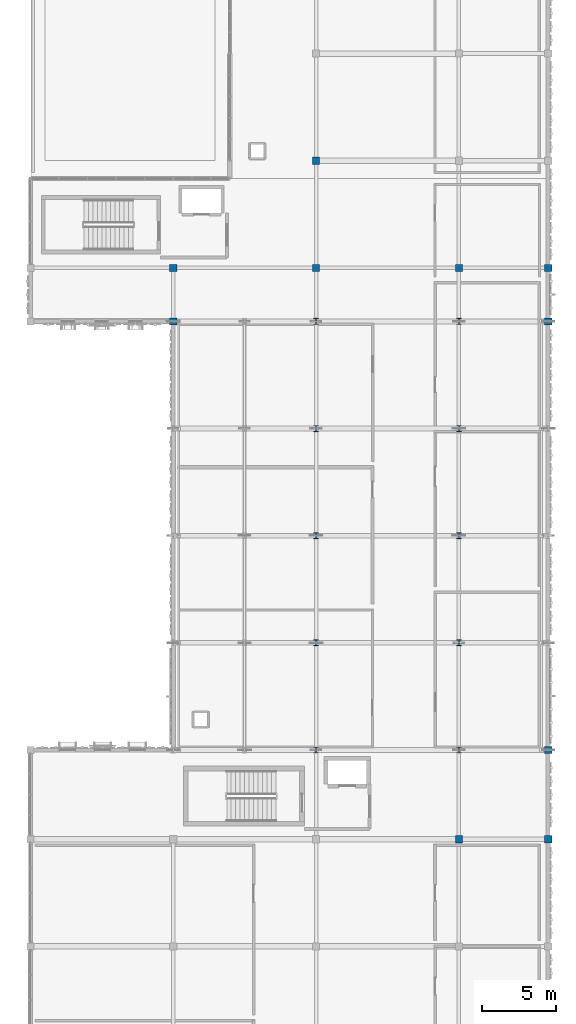
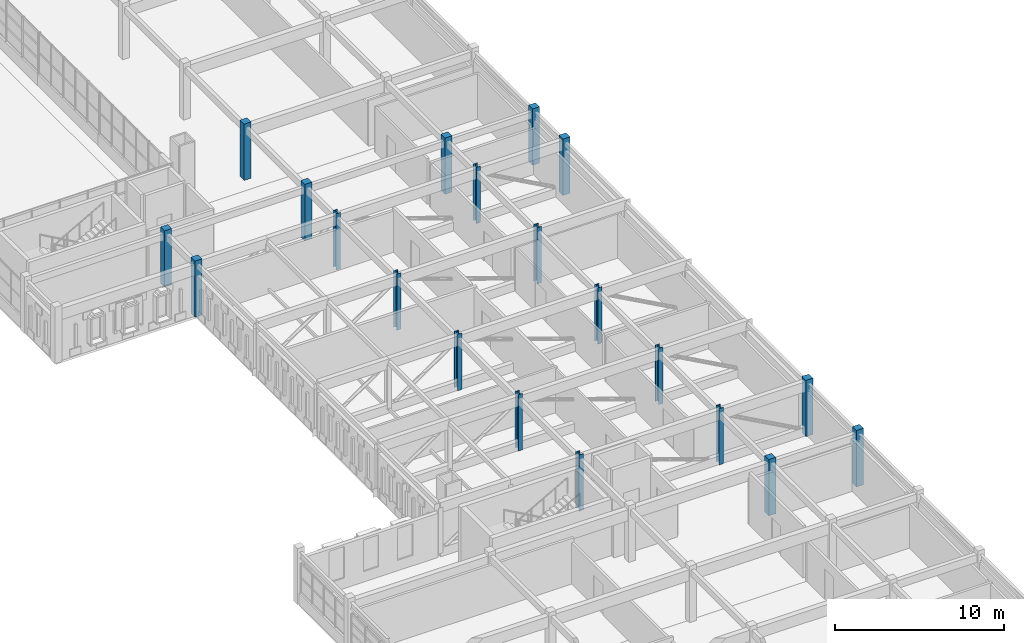
# One storey, part 5 of 79: 20 columns.
"""IFC4 building model written with IfcOpenShell, lengths in metres."""

from ifc_helpers import new_model, si_unit, direction, frame, origin, origin_2d, place, context, subcontext, project, spatial, rectangle, i_section, extrude, material, material_profile, profile_set, type_object, element, save


model = new_model("IFC4")

# Units and contexts
model_context = context("Model", 3, precision=1e-05, world=origin(), true_north=direction((0.0, 1.0)))
body_context = subcontext(model_context, "Body", "Model", "MODEL_VIEW")
ifc_project = project(units=[si_unit("LENGTHUNIT", "METRE"), si_unit("AREAUNIT", "SQUARE_METRE"), si_unit("VOLUMEUNIT", "CUBIC_METRE"), si_unit("PLANEANGLEUNIT", "RADIAN"), si_unit("MASSUNIT", "GRAM", prefix="KILO")], contexts=[model_context])

# Site, building, storey
site_placement = place(None, origin())
site = spatial("IfcSite", under=ifc_project, at=site_placement, CompositionType="ELEMENT")
building_placement = place(site_placement, origin())
building = spatial("IfcBuilding", under=site, at=building_placement, Name="Nzembalo Square Collegiate School", CompositionType="ELEMENT")
storey_placement = place(building_placement, frame((0.0, 0.0, 9.52001953125)))
storey = spatial("IfcBuildingStorey", under=building, at=storey_placement, Name="L02", CompositionType="ELEMENT", Elevation=9.52001953125)

# Columns
ifc_material_1 = material(Name="Glulam GL28h", Category="wood")
ifc_material_profile_1 = material_profile(ifc_material_1, rectangle(XDim=0.47998046875, YDim=0.47998046875, at=origin_2d()), Name="GL28h 480x480")
ifc_profile_set_1 = profile_set([ifc_material_profile_1], Name="Glulam GL28h")
column_type_1 = type_object("IfcColumnType", Name="C05", PredefinedType="COLUMN", material=ifc_profile_set_1)
for number, where, z_axis, x_axis, name in (
    (1, (140.39990234375, 79.199951171875, 0.0), (0.0, 0.0, 1.0), (1.0, 0.0, 0.0), "Column C05 L02 21/L"),
    (2, (140.39990234375, 82.800048828125, 0.0), (0.0, 0.0, 1.0), (1.0, 0.0, 0.0), "Column C05 L02 21/M"),
    (3, (150.0, 82.800048828125, 0.0), (0.0, 0.0, 1.0), (1.0, 0.0, 0.0), "Column C05 L02 22/M"),
    (4, (150.0, 90.0, 0.0), (0.0, 0.0, 1.0), (1.0, 0.0, 0.0), "Column C05 L02 22/N"),
    (5, (159.60009765625, 44.39990234375, 0.0), (0.0, 0.0, 1.0), (1.0, 0.0, 0.0), "Column C05 L02 23/G"),
    (6, (159.60009765625, 82.800048828125, 0.0), (0.0, 0.0, 1.0), (1.0, 0.0, 0.0), "Column C05 L02 23/M"),
    (7, (165.60009765625, 44.39990234375, 0.0), (0.0, 0.0, 1.0), (1.0, 0.0, 0.0), "Column C05 L02 24/G"),
    (8, (165.60009765625, 50.39990234375, 0.0), (0.0, 0.0, 1.0), (1.0, 0.0, 0.0), "Column C05 L02 24/H"),
    (9, (165.60009765625, 79.199951171875, 0.0), (0.0, 0.0, 1.0), (1.0, 0.0, 0.0), "Column C05 L02 24/L"),
    (10, (165.60009765625, 82.800048828125, 0.0), (0.0, 0.0, 1.0), (1.0, 0.0, 0.0), "Column C05 L02 24/M"),
):
    element("IfcColumn", number, at=place(storey_placement, frame(where, z_axis=z_axis, x_axis=x_axis)), inside=storey, type_object=column_type_1, Name=name, PredefinedType="COLUMN", context=body_context, shape_type="SweptSolid", body=[
        extrude(rectangle(XDim=0.47998046875, YDim=0.47998046875, at=origin_2d()), origin(), (0.0, 0.0, 1.0), 4.080078125),
    ])
ifc_material_2 = material(Name="Steel S355", Category="steel")
ifc_material_profile_2 = material_profile(ifc_material_2, i_section(OverallWidth=0.300048828125, OverallDepth=0.39990234375, WebThickness=0.013427734375, FlangeThickness=0.02392578125, at=origin_2d()), Name="HEB 400")
ifc_profile_set_2 = profile_set([ifc_material_profile_2], Name="Steel S355")
column_type_2 = type_object("IfcColumnType", Name="C07", PredefinedType="COLUMN", material=ifc_profile_set_2)
for number, where, z_axis, x_axis, name in (
    (11, (150.0, 50.39990234375, 0.0), (0.0, 0.0, 1.0), (1.0, 0.0, 0.0), "Column C07 L02 22/H"),
    (12, (150.0, 57.60009765625, 0.0), (0.0, 0.0, 1.0), (1.0, 0.0, 0.0), "Column C07 L02 22/I"),
    (13, (150.0, 64.800048828125, 0.0), (0.0, 0.0, 1.0), (1.0, 0.0, 0.0), "Column C07 L02 22/J"),
    (14, (150.0, 72.0, 0.0), (0.0, 0.0, 1.0), (1.0, 0.0, 0.0), "Column C07 L02 22/K"),
    (15, (150.0, 79.199951171875, 0.0), (0.0, 0.0, 1.0), (1.0, 0.0, 0.0), "Column C07 L02 22/L"),
    (16, (159.60009765625, 50.39990234375, 0.0), (0.0, 0.0, 1.0), (1.0, 0.0, 0.0), "Column C07 L02 23/H"),
    (17, (159.60009765625, 57.60009765625, 0.0), (0.0, 0.0, 1.0), (1.0, 0.0, 0.0), "Column C07 L02 23/I"),
    (18, (159.60009765625, 64.800048828125, 0.0), (0.0, 0.0, 1.0), (1.0, 0.0, 0.0), "Column C07 L02 23/J"),
    (19, (159.60009765625, 72.0, 0.0), (0.0, 0.0, 1.0), (1.0, 0.0, 0.0), "Column C07 L02 23/K"),
    (20, (159.60009765625, 79.199951171875, 0.0), (0.0, 0.0, 1.0), (1.0, 0.0, 0.0), "Column C07 L02 23/L"),
):
    element("IfcColumn", number, at=place(storey_placement, frame(where, z_axis=z_axis, x_axis=x_axis)), inside=storey, type_object=column_type_2, Name=name, PredefinedType="COLUMN", context=body_context, shape_type="SweptSolid", body=[
        extrude(i_section(OverallWidth=0.300048828125, OverallDepth=0.39990234375, WebThickness=0.013427734375, FlangeThickness=0.02392578125, at=origin_2d()), origin(), (0.0, 0.0, 1.0), 4.080078125),
    ])

save(model, "model.ifc")
